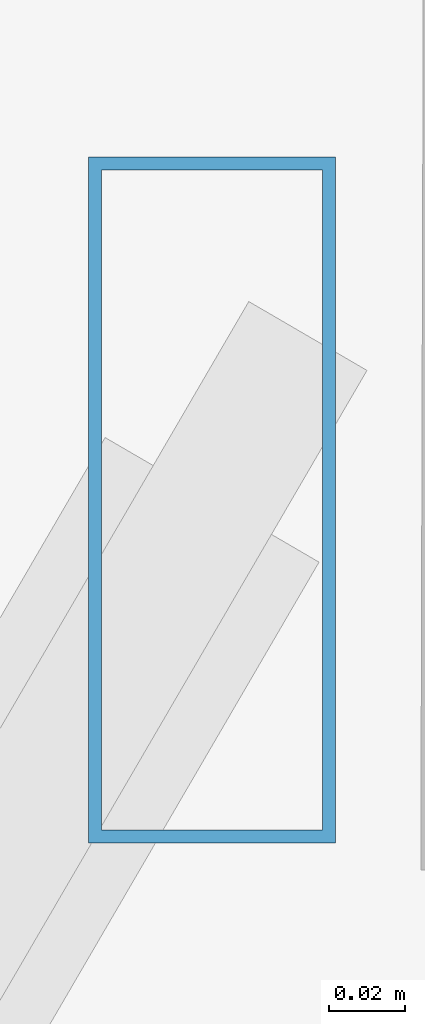
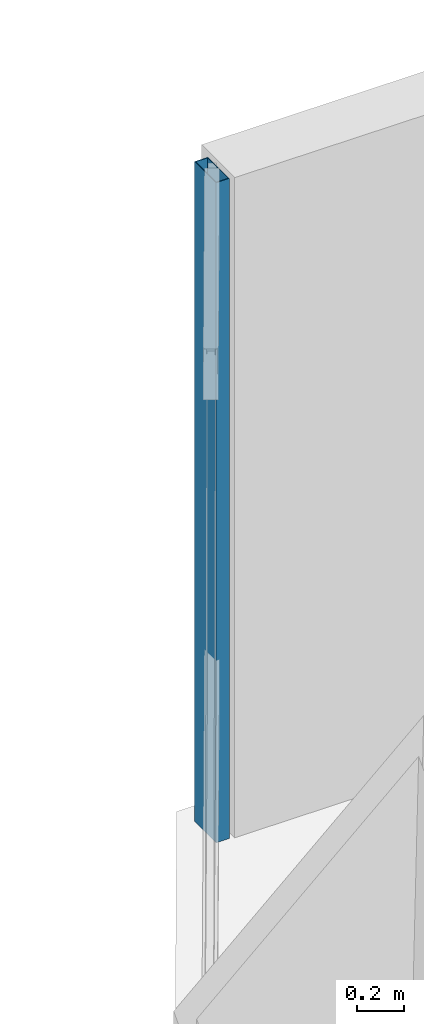
# One storey, part 24 of 33: 1 member, 1 element without a shape of its own.
"""IFC4 building model written with IfcOpenShell, lengths in metres."""

import ifcopenshell
import ifcopenshell.guid

model = None  # the IFC model being written
_history = None  # IfcOwnerHistory: only IFC2X3 demands one
_inside = {}  # id of a spatial element -> (the spatial element, [elements in it])
_under = {}  # id of a project, library or spatial element -> (it, [spatial elements below it])
_declared = {}  # id of a project -> (the project, [libraries it declares])
_typed = {}  # id of a type object -> (the type object, [elements of that type])
_made_of = {}  # id of a material, layer set ... -> (it, [elements and type objects made of it])


def new_model(schema):
    """Start an empty IFC model of exactly this schema.

    Asked for "IFC4X3", IfcOpenShell would pick the latest addendum, in which some entities
    have other attributes; the version numbers below select the first issue.
    IFC2X3 requires an IfcOwnerHistory on every rooted entity: one is made here for all.
    """
    global model, _history
    if schema == "IFC4X3":
        model = ifcopenshell.file(schema_version=(4, 3, 0, 0))
    else:
        model = ifcopenshell.file(schema=schema)
    _inside.clear()
    _under.clear()
    _declared.clear()
    _typed.clear()
    _made_of.clear()
    _history = None
    if model.schema == "IFC2X3":
        org = make("IfcOrganization", Name="unknown")
        user = make(
            "IfcPersonAndOrganization",
            ThePerson=make("IfcPerson", FamilyName="unknown"),
            TheOrganization=org,
        )
        app = make(
            "IfcApplication",
            ApplicationDeveloper=org,
            Version="unknown",
            ApplicationFullName="unknown",
            ApplicationIdentifier="unknown",
        )
        _history = make(
            "IfcOwnerHistory",
            OwningUser=user,
            OwningApplication=app,
            ChangeAction="ADDED",
            CreationDate=0,
        )
    return model


def make(cls, **values):
    """One entity of the class cls with the attributes given. An attribute that is None is left unset."""
    return model.create_entity(
        cls, **{name: value for name, value in values.items() if value is not None}
    )


def rooted(cls, **values):
    """An entity with a GlobalId (a new one), such as an element, a storey or a relation."""
    return make(cls, GlobalId=ifcopenshell.guid.new(), OwnerHistory=_history, **values)


def si_unit(unit_type, name, prefix=None):
    """IfcSIUnit, for example si_unit("LENGTHUNIT", "METRE", prefix="MILLI")."""
    return make("IfcSIUnit", UnitType=unit_type, Prefix=prefix, Name=name)


def assignment(units):
    """IfcUnitAssignment: the units of a project."""
    return None if units is None else make("IfcUnitAssignment", Units=units)


def point(xyz):
    """IfcCartesianPoint."""
    return None if xyz is None else make("IfcCartesianPoint", Coordinates=xyz)


def direction(xyz):
    """IfcDirection."""
    return None if xyz is None else make("IfcDirection", DirectionRatios=xyz)


def frame(location, z_axis=None, x_axis=None):
    """IfcAxis2Placement3D, a coordinate frame: its origin and axes. An axis left out is left unset."""
    return make(
        "IfcAxis2Placement3D",
        Location=point(location),
        Axis=direction(z_axis),
        RefDirection=direction(x_axis),
    )


def frame_2d(location, x_axis=None):
    """IfcAxis2Placement2D, a coordinate frame in the plane: its origin and x axis."""
    return make(
        "IfcAxis2Placement2D", Location=point(location), RefDirection=direction(x_axis)
    )


def origin():
    """The frame at (0, 0, 0) with its axes left unset."""
    return frame((0.0, 0.0, 0.0))


def origin_2d():
    """The frame at (0, 0) in the plane with its x axis left unset."""
    return frame_2d((0.0, 0.0))


def place(relative_to, where):
    """IfcLocalPlacement: puts the frame where relative to a parent placement (None: the world)."""
    return make(
        "IfcLocalPlacement", PlacementRelTo=relative_to, RelativePlacement=where
    )


def context(
    kind, dimensions, precision=None, world=None, true_north=None, identifier=None
):
    """IfcGeometricRepresentationContext, for example the 3D "Model" context."""
    return make(
        "IfcGeometricRepresentationContext",
        ContextIdentifier=identifier,
        ContextType=kind,
        CoordinateSpaceDimension=dimensions,
        Precision=precision,
        WorldCoordinateSystem=world,
        TrueNorth=true_north,
    )


def subcontext(parent, identifier, kind, view, scale=None):
    """IfcGeometricRepresentationSubContext, for example "Body" below "Model"."""
    return make(
        "IfcGeometricRepresentationSubContext",
        ContextIdentifier=identifier,
        ContextType=kind,
        ParentContext=parent,
        TargetScale=scale,
        TargetView=view,
    )


def project(units=None, contexts=None):
    """IfcProject with its units and contexts."""
    return rooted(
        "IfcProject",
        Name="project",
        RepresentationContexts=contexts,
        UnitsInContext=assignment(units),
    )


def spatial(cls, under=None, at=None, **own):
    """A site, building, storey or space (cls), placed at a placement, below another one or the project."""
    s = rooted(cls, ObjectPlacement=at, **own)
    if under is not None:
        _under.setdefault(under.id(), (under, []))[1].append(s)
    return s


def profile(cls, at=None, kind="AREA", **sizes):
    """A parametric profile (cls). Its sizes go by their IFC names, for example OverallWidth=200.0."""
    return make(cls, ProfileType=kind, Position=at, **sizes)


def hollow_rectangle(**sizes):
    """IfcRectangleHollowProfileDef."""
    return profile("IfcRectangleHollowProfileDef", **sizes)


def extrude(swept, where, along, depth):
    """IfcExtrudedAreaSolid: the profile swept, set in the frame where, extruded along a direction by depth."""
    return make(
        "IfcExtrudedAreaSolid",
        SweptArea=swept,
        Position=where,
        ExtrudedDirection=direction(along),
        Depth=depth,
    )


def shape(context_of_items, identifier, shape_type, items):
    """IfcShapeRepresentation: the items that make up one representation, for example the "Body"."""
    return make(
        "IfcShapeRepresentation",
        ContextOfItems=context_of_items,
        RepresentationIdentifier=identifier,
        RepresentationType=shape_type,
        Items=items,
    )


def source(mapping_origin, context_of_items, identifier, shape_type, items):
    """IfcRepresentationMap: a shape defined once, which mapped items show again and again."""
    return make(
        "IfcRepresentationMap",
        MappingOrigin=mapping_origin,
        MappedRepresentation=shape(context_of_items, identifier, shape_type, items),
    )


def transform(
    local_origin,
    x_axis=None,
    y_axis=None,
    z_axis=None,
    scale=None,
    scale2=None,
    scale3=None,
    uniform=True,
):
    """IfcCartesianTransformationOperator3D, or its non-uniform kind. x_axis, y_axis, z_axis: its Axis1, 2, 3."""
    if uniform:
        return make(
            "IfcCartesianTransformationOperator3D",
            Axis1=direction(x_axis),
            Axis2=direction(y_axis),
            LocalOrigin=point(local_origin),
            Scale=scale,
            Axis3=direction(z_axis),
        )
    return make(
        "IfcCartesianTransformationOperator3DnonUniform",
        Axis1=direction(x_axis),
        Axis2=direction(y_axis),
        LocalOrigin=point(local_origin),
        Scale=scale,
        Axis3=direction(z_axis),
        Scale2=scale2,
        Scale3=scale3,
    )


def mapped(mapping_source, mapping_target):
    """IfcMappedItem: shows the shape of a source again, moved by a transform."""
    return make(
        "IfcMappedItem", MappingSource=mapping_source, MappingTarget=mapping_target
    )


def material(Name=None, Category=None):
    """IfcMaterial."""
    return make("IfcMaterial", Name=Name, Category=Category)


def material_profile(
    of_material, cross_section, Name=None, Category=None, Priority=None
):
    """IfcMaterialProfile: a cross section and its material."""
    return make(
        "IfcMaterialProfile",
        Name=Name,
        Material=of_material,
        Profile=cross_section,
        Priority=Priority,
        Category=Category,
    )


def profile_set(profiles, Name=None, composite=None):
    """IfcMaterialProfileSet."""
    return make(
        "IfcMaterialProfileSet",
        Name=Name,
        MaterialProfiles=profiles,
        CompositeProfile=composite,
    )


def made_of(thing, what):
    """Note that an element or type object is made of a material, layer set ...; save() writes the relation."""
    if what is not None:
        _made_of.setdefault(what.id(), (what, []))[1].append(thing)
    return thing


def type_object(cls, material=None, **own):
    """A type object (cls), such as IfcWallType, which elements share."""
    return made_of(rooted(cls, **own), material)


def type_shapes(of_type, sources):
    """Give a type object the sources (RepresentationMaps) that its elements show as mapped items."""
    of_type.RepresentationMaps = sources


def element(
    cls,
    number,
    at=None,
    inside=None,
    cuts=None,
    type_object=None,
    material=None,
    context=None,
    identifier="Body",
    shape_type=None,
    held_by="IfcProductDefinitionShape",
    body=None,
    shapes=None,
    **own,
):
    """One element of the class cls, such as IfcWall. Its Tag is "e" and its number.

    at: its placement. inside: the storey or other place that contains it. cuts: it is an
    opening in that element (IfcRelVoidsElement). A single representation is given by context,
    identifier, shape_type and body (its items); several are given by shapes. held_by: the class
    of the entity that holds the representations. save() writes the other relations.
    """
    e = rooted(cls, Tag="e%d" % number, ObjectPlacement=at, **own)
    if body is not None:
        shapes = [shape(context, identifier, shape_type, body)]
    if shapes is not None:
        e.Representation = make(held_by, Representations=shapes)
    if inside is not None:
        _inside.setdefault(inside.id(), (inside, []))[1].append(e)
    if cuts is not None:
        rooted(
            "IfcRelVoidsElement", RelatingBuildingElement=cuts, RelatedOpeningElement=e
        )
    if type_object is not None:
        _typed.setdefault(type_object.id(), (type_object, []))[1].append(e)
    return made_of(e, material)


def aggregate(whole, parts):
    """IfcRelAggregates: a whole, such as a stair, and the parts it consists of."""
    return rooted("IfcRelAggregates", RelatingObject=whole, RelatedObjects=parts)


def save(model, path):
    """Write the relations noted so far, then the file.

    IfcRelAggregates (storeys below a building ...), IfcRelContainedInSpatialStructure (elements
    in a storey), IfcRelDefinesByType, IfcRelAssociatesMaterial and IfcRelDeclares: one each for
    every whole, place, type object, material and project.
    """
    for whole, parts in _under.values():
        aggregate(whole, parts)
    for where, things in _inside.values():
        rooted(
            "IfcRelContainedInSpatialStructure",
            RelatedElements=things,
            RelatingStructure=where,
        )
    for kind, things in _typed.values():
        rooted("IfcRelDefinesByType", RelatedObjects=things, RelatingType=kind)
    for what, things in _made_of.values():
        rooted("IfcRelAssociatesMaterial", RelatedObjects=things, RelatingMaterial=what)
    for by, libraries in _declared.values():
        rooted("IfcRelDeclares", RelatingContext=by, RelatedDefinitions=libraries)
    model.write(path)


model = new_model("IFC4")

# Units and contexts
model_context = context("Model", 3, precision=1e-05, world=origin(), true_north=direction((0.0, 1.0)))
body_context = subcontext(model_context, "Body", "Model", "MODEL_VIEW")
ifc_project = project(units=[si_unit("LENGTHUNIT", "METRE"), si_unit("AREAUNIT", "SQUARE_METRE"), si_unit("VOLUMEUNIT", "CUBIC_METRE"), si_unit("PLANEANGLEUNIT", "RADIAN"), si_unit("MASSUNIT", "GRAM", prefix="KILO")], contexts=[model_context])

# Site, building, storey
site_placement = place(None, origin())
site = spatial("IfcSite", under=ifc_project, at=site_placement, CompositionType="ELEMENT")
building_placement = place(site_placement, origin())
building = spatial("IfcBuilding", under=site, at=building_placement, Name="Caelisora Broadcast Tower", CompositionType="ELEMENT")
storey_placement = place(building_placement, frame((0.0, 0.0, 38.550048828125)))
storey = spatial("IfcBuildingStorey", under=building, at=storey_placement, Name="L09", CompositionType="ELEMENT", Elevation=38.550048828125)

# Curtain wall, member
ifc_material_1 = material(Name="Unitised Aluminium and Low-E Glass Curtain Wall", Category="glass")
curtain_wall_type = type_object("IfcCurtainWallType", Name="CW-Z1", PredefinedType="NOTDEFINED", material=ifc_material_1)
curtain_wall_placement = place(storey_placement, origin())
curtain_wall = element("IfcCurtainWall", 1, at=curtain_wall_placement, inside=storey, type_object=curtain_wall_type, Name="L09 curtain wall CW-Z1", PredefinedType="NOTDEFINED")
ifc_material_2 = material(Name="Aluminium 6063-T6 Anodised Terracotta Bronze", Category="aluminium")
ifc_material_profile = material_profile(ifc_material_2, hollow_rectangle(XDim=0.06494140625, YDim=0.179931640625, WallThickness=0.00341796875, at=origin_2d()), Name="Aluminium 6063-T6 Anodised Terracotta Bronze")
ifc_profile_set = profile_set([ifc_material_profile], Name="Aluminium 6063-T6 Anodised Terracotta Bronze")
member_type = type_object("IfcMemberType", Name="CWM-02", PredefinedType="MULLION", material=ifc_profile_set)
shared_shape = source(origin(), body_context, "Body", "SweptSolid", [
    extrude(hollow_rectangle(XDim=0.06494140625, YDim=0.179931640625, WallThickness=0.00341796875, at=origin_2d()), origin(), (0.0, 0.0, 1.0), 3.39990234375),
])
type_shapes(member_type, [shared_shape])
member_placement = place(storey_placement, frame((29.912841796875, 49.327880859375, 0.0), z_axis=(0.0, 0.0, 1.0), x_axis=(1.0, 0.0, 0.0)))
member = element("IfcMember", 2, at=member_placement, type_object=member_type, Name="L09-CW-B11 mullion #3", PredefinedType="MULLION", context=body_context, shape_type="MappedRepresentation", body=[
    mapped(shared_shape, transform((0.0, 0.0, 0.0), scale=1.0)),
])
aggregate(curtain_wall, [member])

save(model, "model.ifc")
